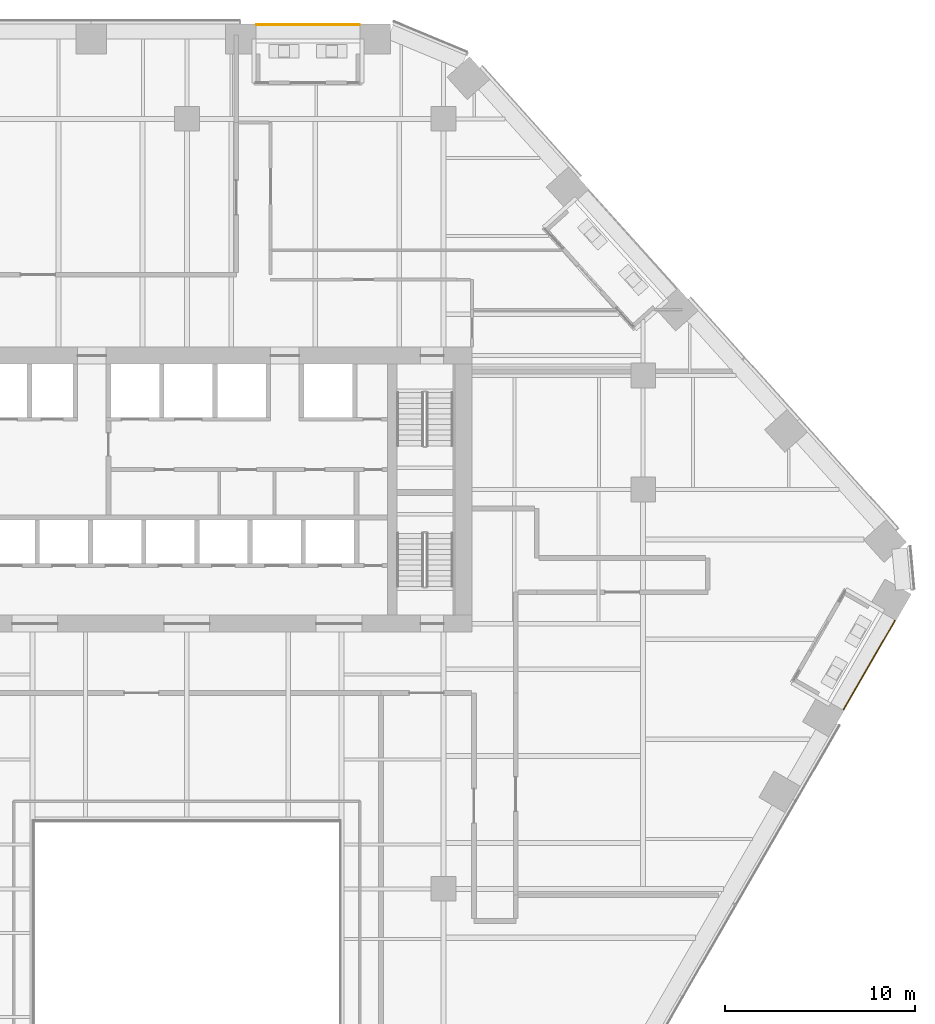
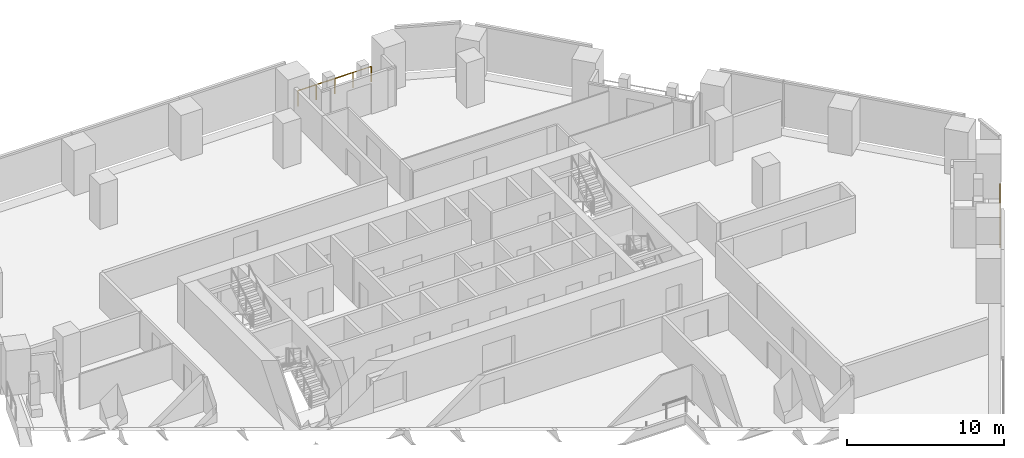
# One storey, part 27 of 28: 2 railings.
"""IFC4 building model written with IfcOpenShell, lengths in metres."""

from ifc_helpers import new_model, si_unit, direction, frame, origin, origin_2d, place, context, subcontext, project, spatial, circle, extrude, material, type_object, element, save


model = new_model("IFC4")

# Units and contexts
model_context = context("Model", 3, precision=1e-05, world=origin(), true_north=direction((0.0, 1.0)))
body_context = subcontext(model_context, "Body", "Model", "MODEL_VIEW")
ifc_project = project(units=[si_unit("LENGTHUNIT", "METRE"), si_unit("AREAUNIT", "SQUARE_METRE"), si_unit("VOLUMEUNIT", "CUBIC_METRE"), si_unit("PLANEANGLEUNIT", "RADIAN"), si_unit("MASSUNIT", "GRAM", prefix="KILO")], contexts=[model_context])

# Site, building, storey
site_placement = place(None, origin())
site = spatial("IfcSite", under=ifc_project, at=site_placement, CompositionType="ELEMENT")
building_placement = place(site_placement, origin())
building = spatial("IfcBuilding", under=site, at=building_placement, Name="Isthmus Gate Tower", CompositionType="ELEMENT")
storey_placement = place(building_placement, frame((0.0, 0.0, 84.300048828125)))
storey = spatial("IfcBuildingStorey", under=building, at=storey_placement, Name="L19", CompositionType="ELEMENT", Elevation=84.300048828125)

# Railings
ifc_material = material(Name="Toughened laminated glass with stainless steel posts", Category="steel")
railing_type = type_object("IfcRailingType", Name="GUARD 1200 FRAMELESS GLASS", PredefinedType="GUARDRAIL", material=ifc_material)
railing_1_placement = place(storey_placement, frame((9.061767578125, 31.949951171875, 0.0)))
element("IfcRailing", 1, at=railing_1_placement, inside=storey, type_object=railing_type, Name="LOGGIA GUARD", PredefinedType="GUARDRAIL", context=body_context, shape_type="SweptSolid", body=[
    extrude(circle(Radius=0.02490234375, at=origin_2d()), frame((0.0, 0.0, 1.1748046875), z_axis=(-1.0, 0.0, 0.0), x_axis=(0.0, -1.0, 0.0)), (0.0, 0.0, 1.0), 5.389404296875),
    extrude(circle(Radius=0.02490234375, at=origin_2d()), origin(), (0.0, 0.0, 1.0), 1.14990234375),
    extrude(circle(Radius=0.02490234375, at=origin_2d()), frame((-1.347412109375, 0.0, 0.0)), (0.0, 0.0, 1.0), 1.14990234375),
    extrude(circle(Radius=0.02490234375, at=origin_2d()), frame((-2.69482421875, 0.0, 0.0)), (0.0, 0.0, 1.0), 1.14990234375),
    extrude(circle(Radius=0.02490234375, at=origin_2d()), frame((-4.0419921875, 0.0, 0.0)), (0.0, 0.0, 1.0), 1.14990234375),
    extrude(circle(Radius=0.02490234375, at=origin_2d()), frame((-5.389404296875, 0.0, 0.0)), (0.0, 0.0, 1.0), 1.14990234375),
])
railing_2_placement = place(storey_placement, frame((34.54296875, -4.070068359375, 0.0)))
element("IfcRailing", 2, at=railing_2_placement, inside=storey, type_object=railing_type, Name="LOGGIA GUARD", PredefinedType="GUARDRAIL", context=body_context, shape_type="SweptSolid", body=[
    extrude(circle(Radius=0.02490234375, at=origin_2d()), frame((0.0, 0.0, 1.1748046875), z_axis=(0.499973416292, 0.866040751352, 0.0), x_axis=(-0.866040751352, 0.499973416292, 0.0)), (0.0, 0.0, 1.0), 5.389404296875),
    extrude(circle(Radius=0.02490234375, at=origin_2d()), origin(), (0.0, 0.0, 1.0), 1.14990234375),
    extrude(circle(Radius=0.02490234375, at=origin_2d()), frame((0.673583984375, 1.1669921875, 0.0)), (0.0, 0.0, 1.0), 1.14990234375),
    extrude(circle(Radius=0.02490234375, at=origin_2d()), frame((1.34716796875, 2.333740234375, 0.0)), (0.0, 0.0, 1.0), 1.14990234375),
    extrude(circle(Radius=0.02490234375, at=origin_2d()), frame((2.02099609375, 3.50048828125, 0.0)), (0.0, 0.0, 1.0), 1.14990234375),
    extrude(circle(Radius=0.02490234375, at=origin_2d()), frame((2.694580078125, 4.66748046875, 0.0)), (0.0, 0.0, 1.0), 1.14990234375),
])

save(model, "model.ifc")
